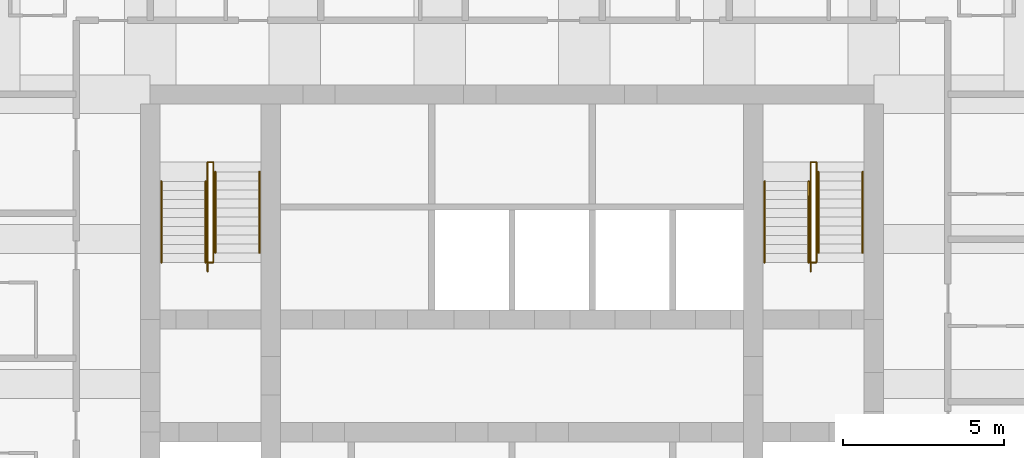
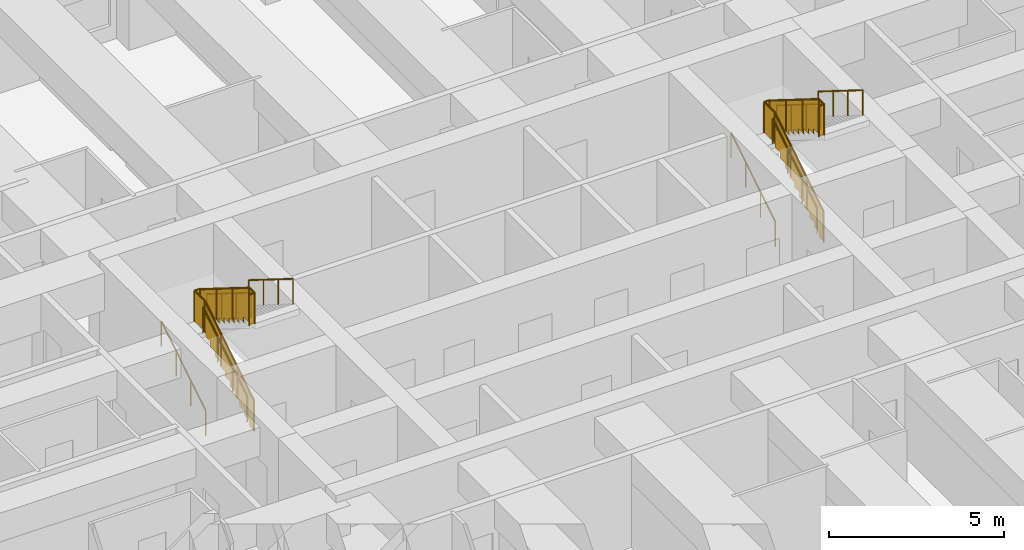
# One storey, part 8 of 8: 12 railings.
"""IFC4 building model written with IfcOpenShell, lengths in metres."""

from ifc_helpers import new_model, si_unit, direction, frame, origin, origin_2d, place, context, subcontext, project, spatial, polyline, circle, outline, extrude, material, type_object, element, save


model = new_model("IFC4")

# Units and contexts
model_context = context("Model", 3, precision=1e-05, world=origin(), true_north=direction((0.0, 1.0)))
body_context = subcontext(model_context, "Body", "Model", "MODEL_VIEW")
ifc_project = project(units=[si_unit("LENGTHUNIT", "METRE"), si_unit("AREAUNIT", "SQUARE_METRE"), si_unit("VOLUMEUNIT", "CUBIC_METRE"), si_unit("PLANEANGLEUNIT", "RADIAN"), si_unit("MASSUNIT", "GRAM", prefix="KILO")], contexts=[model_context])

# Site, building, storey
site_placement = place(None, origin())
site = spatial("IfcSite", under=ifc_project, at=site_placement, CompositionType="ELEMENT")
building_placement = place(site_placement, origin())
building = spatial("IfcBuilding", under=site, at=building_placement, Name="Kilele Tower Hotel", CompositionType="ELEMENT")
storey_placement = place(building_placement, frame((0.0, 0.0, 200.89990234375)))
storey = spatial("IfcBuildingStorey", under=building, at=storey_placement, Name="L52", CompositionType="ELEMENT", Elevation=200.89990234375)

# Railings
ifc_material_1 = material(Name="Steel handrail", Category="steel")
railing_type_1 = type_object("IfcRailingType", Name="Handrail 900", PredefinedType="HANDRAIL", material=ifc_material_1)
for number, where, name in (
    (1, (13.85009765625, 21.77490234375, 0.175048828125), "Handrail ST1 flight 1"),
    (2, (15.22509765625, 21.77490234375, 0.175048828125), "Handrail ST1 flight 1"),
):
    element("IfcRailing", number, at=place(storey_placement, frame(where)), inside=storey, type_object=railing_type_1, Name=name, PredefinedType="HANDRAIL", context=body_context, shape_type="SweptSolid", body=[
        extrude(circle(Radius=0.02490234375, at=origin_2d()), frame((0.0, 0.0, 0.875), z_axis=(0.0, 0.848007534815, 0.529984170421), x_axis=(-1.0, 0.0, 0.0)), (0.0, 0.0, 1.0), 2.9716796875),
        extrude(circle(Radius=0.02001953125, at=origin_2d()), origin(), (0.0, 0.0, 1.0), 0.849853515625),
        extrude(circle(Radius=0.02001953125, at=origin_2d()), frame((0.0, 0.840087890625, 0.52490234375)), (0.0, 0.0, 1.0), 0.849853515625),
        extrude(circle(Radius=0.02001953125, at=origin_2d()), frame((0.0, 1.679931640625, 1.050048828125)), (0.0, 0.0, 1.0), 0.849853515625),
        extrude(circle(Radius=0.02001953125, at=origin_2d()), frame((0.0, 2.52001953125, 1.574951171875)), (0.0, 0.0, 1.0), 0.849853515625),
    ])
for number, where, name in (
    (3, (15.52490234375, 24.594970703125, 1.925048828125), "Handrail ST1 flight 2"),
    (4, (16.89990234375, 24.594970703125, 1.925048828125), "Handrail ST1 flight 2"),
):
    element("IfcRailing", number, at=place(storey_placement, frame(where)), inside=storey, type_object=railing_type_1, Name=name, PredefinedType="HANDRAIL", context=body_context, shape_type="SweptSolid", body=[
        extrude(circle(Radius=0.02490234375, at=origin_2d()), frame((0.0, 0.0, 0.875), z_axis=(0.0, -0.848007534815, 0.529984170421), x_axis=(1.0, 0.0, 0.0)), (0.0, 0.0, 1.0), 2.9716796875),
        extrude(circle(Radius=0.02001953125, at=origin_2d()), origin(), (0.0, 0.0, 1.0), 0.849853515625),
        extrude(circle(Radius=0.02001953125, at=origin_2d()), frame((0.0, -0.840087890625, 0.52490234375)), (0.0, 0.0, 1.0), 0.849853515625),
        extrude(circle(Radius=0.02001953125, at=origin_2d()), frame((0.0, -1.679931640625, 1.050048828125)), (0.0, 0.0, 1.0), 0.849853515625),
        extrude(circle(Radius=0.02001953125, at=origin_2d()), frame((0.0, -2.52001953125, 1.574951171875)), (0.0, 0.0, 1.0), 0.849853515625),
    ])
for number, where, name in (
    (5, (32.60009765625, 21.77490234375, 0.175048828125), "Handrail ST2 flight 1"),
    (6, (33.97509765625, 21.77490234375, 0.175048828125), "Handrail ST2 flight 1"),
):
    element("IfcRailing", number, at=place(storey_placement, frame(where)), inside=storey, type_object=railing_type_1, Name=name, PredefinedType="HANDRAIL", context=body_context, shape_type="SweptSolid", body=[
        extrude(circle(Radius=0.02490234375, at=origin_2d()), frame((0.0, 0.0, 0.875), z_axis=(0.0, 0.848007534815, 0.529984170421), x_axis=(-1.0, 0.0, 0.0)), (0.0, 0.0, 1.0), 2.9716796875),
        extrude(circle(Radius=0.02001953125, at=origin_2d()), origin(), (0.0, 0.0, 1.0), 0.849853515625),
        extrude(circle(Radius=0.02001953125, at=origin_2d()), frame((0.0, 0.840087890625, 0.52490234375)), (0.0, 0.0, 1.0), 0.849853515625),
        extrude(circle(Radius=0.02001953125, at=origin_2d()), frame((0.0, 1.679931640625, 1.050048828125)), (0.0, 0.0, 1.0), 0.849853515625),
        extrude(circle(Radius=0.02001953125, at=origin_2d()), frame((0.0, 2.52001953125, 1.574951171875)), (0.0, 0.0, 1.0), 0.849853515625),
    ])
for number, where, name in (
    (7, (34.27490234375, 24.594970703125, 1.925048828125), "Handrail ST2 flight 2"),
    (8, (35.64990234375, 24.594970703125, 1.925048828125), "Handrail ST2 flight 2"),
):
    element("IfcRailing", number, at=place(storey_placement, frame(where)), inside=storey, type_object=railing_type_1, Name=name, PredefinedType="HANDRAIL", context=body_context, shape_type="SweptSolid", body=[
        extrude(circle(Radius=0.02490234375, at=origin_2d()), frame((0.0, 0.0, 0.875), z_axis=(0.0, -0.848007534815, 0.529984170421), x_axis=(1.0, 0.0, 0.0)), (0.0, 0.0, 1.0), 2.9716796875),
        extrude(circle(Radius=0.02001953125, at=origin_2d()), origin(), (0.0, 0.0, 1.0), 0.849853515625),
        extrude(circle(Radius=0.02001953125, at=origin_2d()), frame((0.0, -0.840087890625, 0.52490234375)), (0.0, 0.0, 1.0), 0.849853515625),
        extrude(circle(Radius=0.02001953125, at=origin_2d()), frame((0.0, -1.679931640625, 1.050048828125)), (0.0, 0.0, 1.0), 0.849853515625),
        extrude(circle(Radius=0.02001953125, at=origin_2d()), frame((0.0, -2.52001953125, 1.574951171875)), (0.0, 0.0, 1.0), 0.849853515625),
    ])
ifc_material_2 = material(Name="Steel guard", Category="steel")
railing_type_2 = type_object("IfcRailingType", Name="Stair guard 1100", PredefinedType="GUARDRAIL", material=ifc_material_2)
railing_1_placement = place(storey_placement, frame((15.284912109375, 21.4951171875, 0.0)))
element("IfcRailing", 9, at=railing_1_placement, inside=storey, type_object=railing_type_2, Name="Stair well guard ST1 flight 1", PredefinedType="GUARDRAIL", context=body_context, shape_type="SweptSolid", body=[
    extrude(circle(Radius=0.02490234375, at=origin_2d()), frame((0.0, 0.0, 1.0751953125), z_axis=(0.0, 0.847981687118, 0.530025526095), x_axis=(-1.0, 0.0, 0.0)), (0.0, 0.0, 1.0), 3.3017578125),
    extrude(circle(Radius=0.02490234375, at=origin_2d()), frame((0.0, 2.7998046875, 2.8251953125), z_axis=(0.0, 1.0, 0.0), x_axis=(-1.0, 0.0, 0.0)), (0.0, 0.0, 1.0), 0.60009765625),
    extrude(circle(Radius=0.02490234375, at=origin_2d()), frame((0.0, 3.39990234375, 2.8251953125), z_axis=(1.0, 0.0, 0.0), x_axis=(0.0, 1.0, 0.0)), (0.0, 0.0, 1.0), 0.18017578125),
    extrude(circle(Radius=0.02490234375, at=origin_2d()), origin(), (0.0, 0.0, 1.0), 1.050048828125),
    extrude(circle(Radius=0.02490234375, at=origin_2d()), frame((0.0, 0.933349609375, 0.583251953125)), (0.0, 0.0, 1.0), 1.050048828125),
    extrude(circle(Radius=0.02490234375, at=origin_2d()), frame((0.0, 1.866455078125, 1.166748046875)), (0.0, 0.0, 1.0), 1.050048828125),
    extrude(circle(Radius=0.02490234375, at=origin_2d()), frame((0.0, 2.7998046875, 1.75)), (0.0, 0.0, 1.0), 1.050048828125),
    extrude(circle(Radius=0.02490234375, at=origin_2d()), frame((0.0, 3.39990234375, 1.75)), (0.0, 0.0, 1.0), 1.050048828125),
    extrude(circle(Radius=0.02490234375, at=origin_2d()), frame((0.18017578125, 3.39990234375, 1.75)), (0.0, 0.0, 1.0), 1.050048828125),
    extrude(outline(polyline([(0.012451171875, 0.030029296875), (0.25, 0.030029296875), (0.25, 0.205078125), (0.530029296875, 0.205078125), (0.530029296875, 0.380126953125), (0.809814453125, 0.380126953125), (0.809814453125, 0.554931640625), (1.08984375, 0.554931640625), (1.08984375, 0.72998046875), (1.369873046875, 0.72998046875), (1.369873046875, 0.905029296875), (1.64990234375, 0.905029296875), (1.64990234375, 1.080078125), (1.929931640625, 1.080078125), (1.929931640625, 1.255126953125), (2.209716796875, 1.255126953125), (2.209716796875, 1.429931640625), (2.48974609375, 1.429931640625), (2.48974609375, 1.60498046875), (2.769775390625, 1.60498046875), (2.769775390625, 1.780029296875), (2.787353515625, 1.780029296875), (2.787353515625, 2.787841796875), (0.012451171875, 1.053466796875), (0.012451171875, 0.030029296875)])), frame((-0.005859375, 0.0, 0.0), z_axis=(1.0, 0.0, 0.0), x_axis=(0.0, 1.0, 0.0)), (0.0, 0.0, 1.0), 0.011962890625),
    extrude(outline(polyline([(0.012451171875, 0.030029296875), (0.587646484375, 0.030029296875), (0.587646484375, 1.050048828125), (0.012451171875, 1.050048828125), (0.012451171875, 0.030029296875)])), frame((-0.005859375, 2.7998046875, 1.75), z_axis=(1.0, 0.0, 0.0), x_axis=(0.0, 1.0, 0.0)), (0.0, 0.0, 1.0), 0.011962890625),
    extrude(outline(polyline([(0.012451171875, 0.030029296875), (0.18017578125, 0.030029296875), (0.18017578125, 1.050048828125), (0.012451171875, 1.050048828125), (0.012451171875, 0.030029296875)])), frame((0.0, 3.40576171875, 1.75), z_axis=(0.0, -1.0, 0.0), x_axis=(1.0, 0.0, 0.0)), (0.0, 0.0, 1.0), 0.011962890625),
])
railing_2_placement = place(storey_placement, frame((15.465087890625, 24.89501953125, 1.75)))
element("IfcRailing", 10, at=railing_2_placement, inside=storey, type_object=railing_type_2, Name="Stair well guard ST1 flight 2", PredefinedType="GUARDRAIL", context=body_context, shape_type="SweptSolid", body=[
    extrude(circle(Radius=0.02490234375, at=origin_2d()), frame((0.0, 0.0, 1.0751953125), z_axis=(0.0, -1.0, 0.0), x_axis=(1.0, 0.0, 0.0)), (0.0, 0.0, 1.0), 0.02001953125),
    extrude(circle(Radius=0.02490234375, at=origin_2d()), frame((0.0, -0.02001953125, 1.0751953125), z_axis=(0.0, -0.848002457836, 0.529992293815), x_axis=(1.0, 0.0, 0.0)), (0.0, 0.0, 1.0), 3.302001953125),
    extrude(circle(Radius=0.02490234375, at=origin_2d()), frame((0.0, -2.820068359375, 2.8251953125), z_axis=(0.0, -1.0, 0.0), x_axis=(1.0, 0.0, 0.0)), (0.0, 0.0, 1.0), 0.300048828125),
    extrude(circle(Radius=0.02490234375, at=origin_2d()), frame((0.0, -3.1201171875, 2.8251953125), z_axis=(-1.0, 0.0, 0.0), x_axis=(0.0, -1.0, 0.0)), (0.0, 0.0, 1.0), 0.18017578125),
    extrude(circle(Radius=0.02490234375, at=origin_2d()), origin(), (0.0, 0.0, 1.0), 1.050048828125),
    extrude(circle(Radius=0.02490234375, at=origin_2d()), frame((0.0, -0.02001953125, 0.0)), (0.0, 0.0, 1.0), 1.050048828125),
    extrude(circle(Radius=0.02490234375, at=origin_2d()), frame((0.0, -0.953369140625, 0.583251953125)), (0.0, 0.0, 1.0), 1.050048828125),
    extrude(circle(Radius=0.02490234375, at=origin_2d()), frame((0.0, -1.88671875, 1.166748046875)), (0.0, 0.0, 1.0), 1.050048828125),
    extrude(circle(Radius=0.02490234375, at=origin_2d()), frame((0.0, -2.820068359375, 1.75)), (0.0, 0.0, 1.0), 1.050048828125),
    extrude(circle(Radius=0.02490234375, at=origin_2d()), frame((0.0, -3.1201171875, 1.75)), (0.0, 0.0, 1.0), 1.050048828125),
    extrude(circle(Radius=0.02490234375, at=origin_2d()), frame((-0.18017578125, -3.1201171875, 1.75)), (0.0, 0.0, 1.0), 1.050048828125),
    extrude(outline(polyline([(0.012451171875, 0.030029296875), (0.25, 0.030029296875), (0.25, 0.205078125), (0.530029296875, 0.205078125), (0.530029296875, 0.380126953125), (0.81005859375, 0.380126953125), (0.81005859375, 0.554931640625), (1.090087890625, 0.554931640625), (1.090087890625, 0.72998046875), (1.3701171875, 0.72998046875), (1.3701171875, 0.905029296875), (1.64990234375, 0.905029296875), (1.64990234375, 1.080078125), (1.929931640625, 1.080078125), (1.929931640625, 1.255126953125), (2.2099609375, 1.255126953125), (2.2099609375, 1.429931640625), (2.489990234375, 1.429931640625), (2.489990234375, 1.60498046875), (2.77001953125, 1.60498046875), (2.77001953125, 1.780029296875), (2.78759765625, 1.780029296875), (2.78759765625, 2.787841796875), (0.012451171875, 1.053466796875), (0.012451171875, 0.030029296875)])), frame((0.005859375, -0.02001953125, 0.0), z_axis=(-1.0, 0.0, 0.0), x_axis=(0.0, -1.0, 0.0)), (0.0, 0.0, 1.0), 0.011962890625),
    extrude(outline(polyline([(0.012451171875, 0.030029296875), (0.28759765625, 0.030029296875), (0.28759765625, 1.050048828125), (0.012451171875, 1.050048828125), (0.012451171875, 0.030029296875)])), frame((0.005859375, -2.820068359375, 1.75), z_axis=(-1.0, 0.0, 0.0), x_axis=(0.0, -1.0, 0.0)), (0.0, 0.0, 1.0), 0.011962890625),
    extrude(outline(polyline([(0.012451171875, 0.030029296875), (0.18017578125, 0.030029296875), (0.18017578125, 1.050048828125), (0.012451171875, 1.050048828125), (0.012451171875, 0.030029296875)])), frame((0.0, -3.1259765625, 1.75), z_axis=(0.0, 1.0, 0.0), x_axis=(-1.0, 0.0, 0.0)), (0.0, 0.0, 1.0), 0.011962890625),
])
railing_3_placement = place(storey_placement, frame((34.034912109375, 21.4951171875, 0.0)))
element("IfcRailing", 11, at=railing_3_placement, inside=storey, type_object=railing_type_2, Name="Stair well guard ST2 flight 1", PredefinedType="GUARDRAIL", context=body_context, shape_type="SweptSolid", body=[
    extrude(circle(Radius=0.02490234375, at=origin_2d()), frame((0.0, 0.0, 1.0751953125), z_axis=(0.0, 0.847981687118, 0.530025526095), x_axis=(-1.0, 0.0, 0.0)), (0.0, 0.0, 1.0), 3.3017578125),
    extrude(circle(Radius=0.02490234375, at=origin_2d()), frame((0.0, 2.7998046875, 2.8251953125), z_axis=(0.0, 1.0, 0.0), x_axis=(-1.0, 0.0, 0.0)), (0.0, 0.0, 1.0), 0.60009765625),
    extrude(circle(Radius=0.02490234375, at=origin_2d()), frame((0.0, 3.39990234375, 2.8251953125), z_axis=(1.0, 0.0, 0.0), x_axis=(0.0, 1.0, 0.0)), (0.0, 0.0, 1.0), 0.18017578125),
    extrude(circle(Radius=0.02490234375, at=origin_2d()), origin(), (0.0, 0.0, 1.0), 1.050048828125),
    extrude(circle(Radius=0.02490234375, at=origin_2d()), frame((0.0, 0.933349609375, 0.583251953125)), (0.0, 0.0, 1.0), 1.050048828125),
    extrude(circle(Radius=0.02490234375, at=origin_2d()), frame((0.0, 1.866455078125, 1.166748046875)), (0.0, 0.0, 1.0), 1.050048828125),
    extrude(circle(Radius=0.02490234375, at=origin_2d()), frame((0.0, 2.7998046875, 1.75)), (0.0, 0.0, 1.0), 1.050048828125),
    extrude(circle(Radius=0.02490234375, at=origin_2d()), frame((0.0, 3.39990234375, 1.75)), (0.0, 0.0, 1.0), 1.050048828125),
    extrude(circle(Radius=0.02490234375, at=origin_2d()), frame((0.18017578125, 3.39990234375, 1.75)), (0.0, 0.0, 1.0), 1.050048828125),
    extrude(outline(polyline([(0.012451171875, 0.030029296875), (0.25, 0.030029296875), (0.25, 0.205078125), (0.530029296875, 0.205078125), (0.530029296875, 0.380126953125), (0.809814453125, 0.380126953125), (0.809814453125, 0.554931640625), (1.08984375, 0.554931640625), (1.08984375, 0.72998046875), (1.369873046875, 0.72998046875), (1.369873046875, 0.905029296875), (1.64990234375, 0.905029296875), (1.64990234375, 1.080078125), (1.929931640625, 1.080078125), (1.929931640625, 1.255126953125), (2.209716796875, 1.255126953125), (2.209716796875, 1.429931640625), (2.48974609375, 1.429931640625), (2.48974609375, 1.60498046875), (2.769775390625, 1.60498046875), (2.769775390625, 1.780029296875), (2.787353515625, 1.780029296875), (2.787353515625, 2.787841796875), (0.012451171875, 1.053466796875), (0.012451171875, 0.030029296875)])), frame((-0.005859375, 0.0, 0.0), z_axis=(1.0, 0.0, 0.0), x_axis=(0.0, 1.0, 0.0)), (0.0, 0.0, 1.0), 0.011962890625),
    extrude(outline(polyline([(0.012451171875, 0.030029296875), (0.587646484375, 0.030029296875), (0.587646484375, 1.050048828125), (0.012451171875, 1.050048828125), (0.012451171875, 0.030029296875)])), frame((-0.005859375, 2.7998046875, 1.75), z_axis=(1.0, 0.0, 0.0), x_axis=(0.0, 1.0, 0.0)), (0.0, 0.0, 1.0), 0.011962890625),
    extrude(outline(polyline([(0.012451171875, 0.030029296875), (0.18017578125, 0.030029296875), (0.18017578125, 1.050048828125), (0.012451171875, 1.050048828125), (0.012451171875, 0.030029296875)])), frame((0.0, 3.40576171875, 1.75), z_axis=(0.0, -1.0, 0.0), x_axis=(1.0, 0.0, 0.0)), (0.0, 0.0, 1.0), 0.011962890625),
])
railing_4_placement = place(storey_placement, frame((34.215087890625, 24.89501953125, 1.75)))
element("IfcRailing", 12, at=railing_4_placement, inside=storey, type_object=railing_type_2, Name="Stair well guard ST2 flight 2", PredefinedType="GUARDRAIL", context=body_context, shape_type="SweptSolid", body=[
    extrude(circle(Radius=0.02490234375, at=origin_2d()), frame((0.0, 0.0, 1.0751953125), z_axis=(0.0, -1.0, 0.0), x_axis=(1.0, 0.0, 0.0)), (0.0, 0.0, 1.0), 0.02001953125),
    extrude(circle(Radius=0.02490234375, at=origin_2d()), frame((0.0, -0.02001953125, 1.0751953125), z_axis=(0.0, -0.848002457836, 0.529992293815), x_axis=(1.0, 0.0, 0.0)), (0.0, 0.0, 1.0), 3.302001953125),
    extrude(circle(Radius=0.02490234375, at=origin_2d()), frame((0.0, -2.820068359375, 2.8251953125), z_axis=(0.0, -1.0, 0.0), x_axis=(1.0, 0.0, 0.0)), (0.0, 0.0, 1.0), 0.300048828125),
    extrude(circle(Radius=0.02490234375, at=origin_2d()), frame((0.0, -3.1201171875, 2.8251953125), z_axis=(-1.0, 0.0, 0.0), x_axis=(0.0, -1.0, 0.0)), (0.0, 0.0, 1.0), 0.18017578125),
    extrude(circle(Radius=0.02490234375, at=origin_2d()), origin(), (0.0, 0.0, 1.0), 1.050048828125),
    extrude(circle(Radius=0.02490234375, at=origin_2d()), frame((0.0, -0.02001953125, 0.0)), (0.0, 0.0, 1.0), 1.050048828125),
    extrude(circle(Radius=0.02490234375, at=origin_2d()), frame((0.0, -0.953369140625, 0.583251953125)), (0.0, 0.0, 1.0), 1.050048828125),
    extrude(circle(Radius=0.02490234375, at=origin_2d()), frame((0.0, -1.88671875, 1.166748046875)), (0.0, 0.0, 1.0), 1.050048828125),
    extrude(circle(Radius=0.02490234375, at=origin_2d()), frame((0.0, -2.820068359375, 1.75)), (0.0, 0.0, 1.0), 1.050048828125),
    extrude(circle(Radius=0.02490234375, at=origin_2d()), frame((0.0, -3.1201171875, 1.75)), (0.0, 0.0, 1.0), 1.050048828125),
    extrude(circle(Radius=0.02490234375, at=origin_2d()), frame((-0.18017578125, -3.1201171875, 1.75)), (0.0, 0.0, 1.0), 1.050048828125),
    extrude(outline(polyline([(0.012451171875, 0.030029296875), (0.25, 0.030029296875), (0.25, 0.205078125), (0.530029296875, 0.205078125), (0.530029296875, 0.380126953125), (0.81005859375, 0.380126953125), (0.81005859375, 0.554931640625), (1.090087890625, 0.554931640625), (1.090087890625, 0.72998046875), (1.3701171875, 0.72998046875), (1.3701171875, 0.905029296875), (1.64990234375, 0.905029296875), (1.64990234375, 1.080078125), (1.929931640625, 1.080078125), (1.929931640625, 1.255126953125), (2.2099609375, 1.255126953125), (2.2099609375, 1.429931640625), (2.489990234375, 1.429931640625), (2.489990234375, 1.60498046875), (2.77001953125, 1.60498046875), (2.77001953125, 1.780029296875), (2.78759765625, 1.780029296875), (2.78759765625, 2.787841796875), (0.012451171875, 1.053466796875), (0.012451171875, 0.030029296875)])), frame((0.005859375, -0.02001953125, 0.0), z_axis=(-1.0, 0.0, 0.0), x_axis=(0.0, -1.0, 0.0)), (0.0, 0.0, 1.0), 0.011962890625),
    extrude(outline(polyline([(0.012451171875, 0.030029296875), (0.28759765625, 0.030029296875), (0.28759765625, 1.050048828125), (0.012451171875, 1.050048828125), (0.012451171875, 0.030029296875)])), frame((0.005859375, -2.820068359375, 1.75), z_axis=(-1.0, 0.0, 0.0), x_axis=(0.0, -1.0, 0.0)), (0.0, 0.0, 1.0), 0.011962890625),
    extrude(outline(polyline([(0.012451171875, 0.030029296875), (0.18017578125, 0.030029296875), (0.18017578125, 1.050048828125), (0.012451171875, 1.050048828125), (0.012451171875, 0.030029296875)])), frame((0.0, -3.1259765625, 1.75), z_axis=(0.0, 1.0, 0.0), x_axis=(-1.0, 0.0, 0.0)), (0.0, 0.0, 1.0), 0.011962890625),
])

save(model, "model.ifc")
